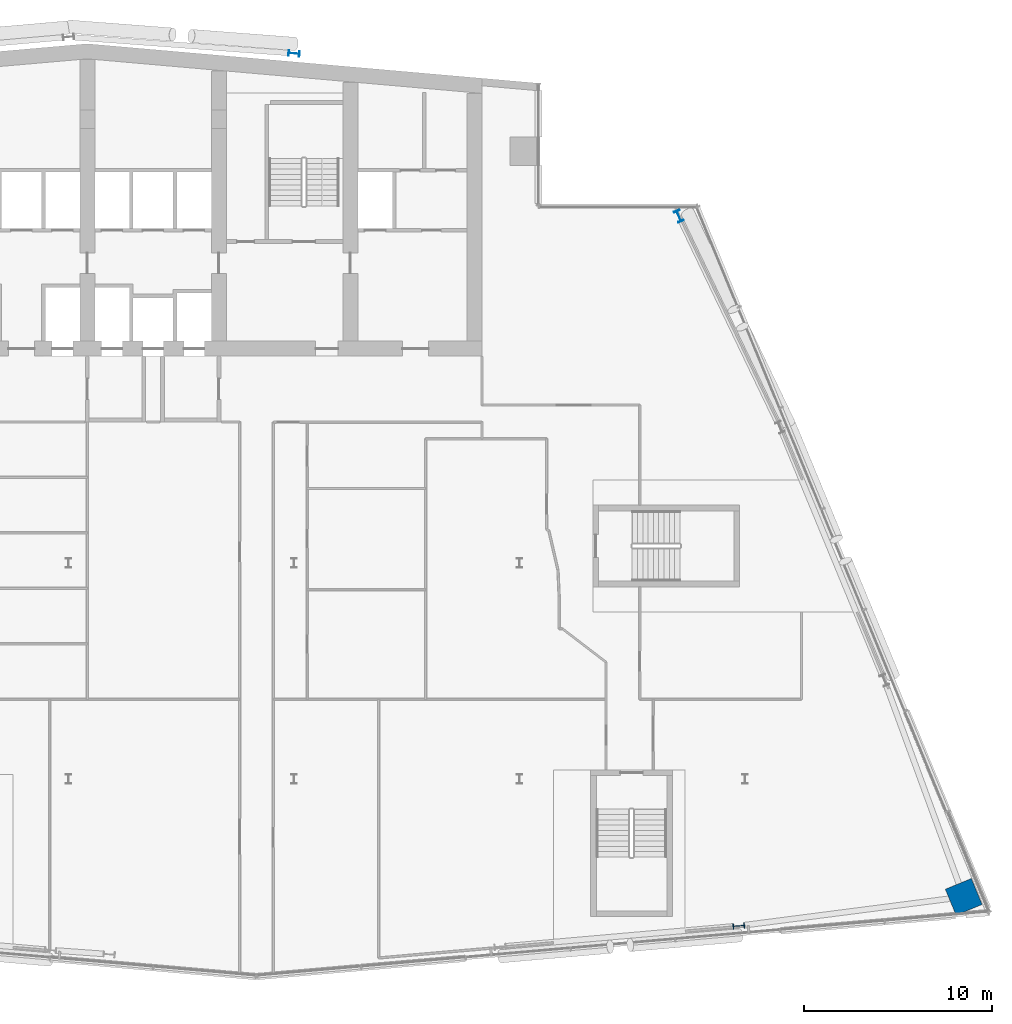
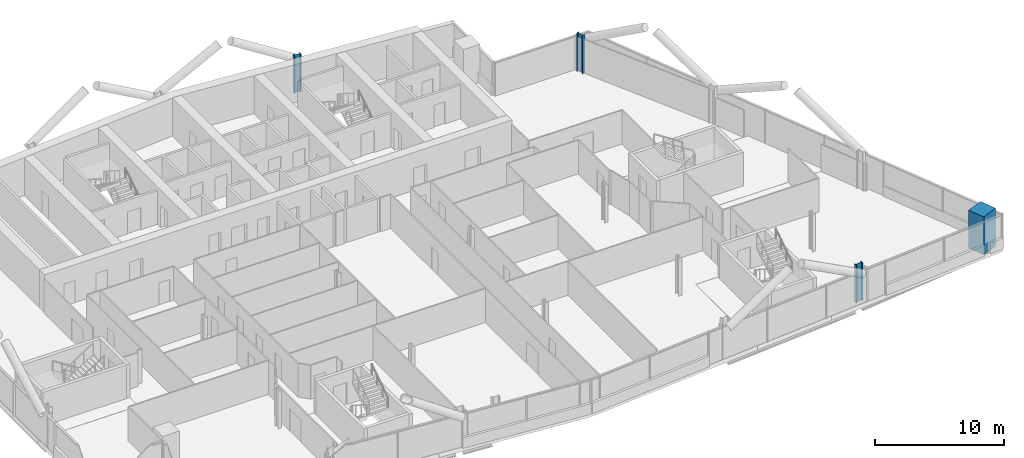
# One storey, part 4 of 26: 4 columns.
"""IFC4 building model written with IfcOpenShell, lengths in metres."""

from ifc_helpers import new_model, si_unit, direction, frame, origin, origin_2d, place, context, subcontext, project, spatial, rectangle, i_section, extrude, material, material_profile, profile_set, type_object, element, save


model = new_model("IFC4")

# Units and contexts
model_context = context("Model", 3, precision=1e-05, world=origin(), true_north=direction((0.0, 1.0)))
body_context = subcontext(model_context, "Body", "Model", "MODEL_VIEW")
ifc_project = project(units=[si_unit("LENGTHUNIT", "METRE"), si_unit("AREAUNIT", "SQUARE_METRE"), si_unit("VOLUMEUNIT", "CUBIC_METRE"), si_unit("PLANEANGLEUNIT", "RADIAN"), si_unit("MASSUNIT", "GRAM", prefix="KILO")], contexts=[model_context])

# Site, building, storey
site_placement = place(None, origin())
site = spatial("IfcSite", under=ifc_project, at=site_placement, CompositionType="ELEMENT")
building_placement = place(site_placement, origin())
building = spatial("IfcBuilding", under=site, at=building_placement, Name="Wharfspan Tower", CompositionType="ELEMENT")
storey_placement = place(building_placement, frame((0.0, 0.0, 169.899902)))
storey = spatial("IfcBuildingStorey", under=building, at=storey_placement, Name="L41", CompositionType="ELEMENT", Elevation=169.899902)

# Columns
ifc_material_1 = material(Name="Steel S355J2", Category="steel")
ifc_material_profile_1 = material_profile(ifc_material_1, i_section(OverallWidth=0.300049, OverallDepth=0.600098, WebThickness=0.015381, FlangeThickness=0.030029, FilletRadius=0.0271, at=origin_2d()))
ifc_profile_set_1 = profile_set([ifc_material_profile_1], Name="Steel S355J2")
column_type_1 = type_object("IfcColumnType", Name="Column HEB 600", PredefinedType="COLUMN", material=ifc_profile_set_1)
column_1_placement = place(storey_placement, frame((48.0, 50.112305, 0.0), z_axis=(0.0, 0.0, 1.0), x_axis=(0.087156, 0.996198, 0.0)))
element("IfcColumn", 1, at=column_1_placement, inside=storey, type_object=column_type_1, Name="Rear column R.3 L41", PredefinedType="COLUMN", context=body_context, shape_type="SweptSolid", body=[
    extrude(i_section(OverallWidth=0.300049, OverallDepth=0.600098, WebThickness=0.015381, FlangeThickness=0.030029, FilletRadius=0.0271, at=origin_2d()), origin(), (0.0, 0.0, 1.0), 3.600098),
])
ifc_material_profile_2 = material_profile(ifc_material_1, i_section(OverallWidth=0.304932, OverallDepth=0.620117, WebThickness=0.020996, FlangeThickness=0.040039, FilletRadius=0.0271, at=origin_2d()))
ifc_profile_set_2 = profile_set([ifc_material_profile_2], Name="Steel S355J2")
column_type_2 = type_object("IfcColumnType", Name="Column HEM 600", PredefinedType="COLUMN", material=ifc_profile_set_2)
for number, where, z_axis, x_axis, name in (
    (2, (71.661865, 3.684814, 0.0), (0.0, 0.0, 1.0), (0.087156, -0.996198, 0.0), "Perimeter column PS2.2 L41"),
    (3, (68.471924, 41.450439, 0.0), (0.0, 0.0, 1.0), (0.924325, 0.381602, 0.0), "Perimeter column PE.3 L41"),
):
    element("IfcColumn", number, at=place(storey_placement, frame(where, z_axis=z_axis, x_axis=x_axis)), inside=storey, type_object=column_type_2, Name=name, PredefinedType="COLUMN", context=body_context, shape_type="SweptSolid", body=[
        extrude(i_section(OverallWidth=0.304932, OverallDepth=0.620117, WebThickness=0.020996, FlangeThickness=0.040039, FilletRadius=0.0271, at=origin_2d()), origin(), (0.0, 0.0, 1.0), 3.600098),
    ])
ifc_material_2 = material(Name="Concrete C60/75", Category="concrete")
ifc_material_profile_3 = material_profile(ifc_material_2, rectangle(XDim=1.5, YDim=1.5, at=origin_2d()))
ifc_profile_set_3 = profile_set([ifc_material_profile_3], Name="Concrete C60/75")
column_type_3 = type_object("IfcColumnType", Name="Mega column 1500 C60/75", PredefinedType="COLUMN", material=ifc_profile_set_3)
column_2_placement = place(storey_placement, frame((83.632568, 5.230713, 0.0), z_axis=(0.0, 0.0, 1.0), x_axis=(-0.381602, 0.924325, 0.0)))
element("IfcColumn", 4, at=column_2_placement, inside=storey, type_object=column_type_3, Name="Mega column MC4 L41", PredefinedType="COLUMN", context=body_context, shape_type="SweptSolid", body=[
    extrude(rectangle(XDim=1.5, YDim=1.5, at=origin_2d()), origin(), (0.0, 0.0, 1.0), 3.600098),
])

save(model, "model.ifc")
